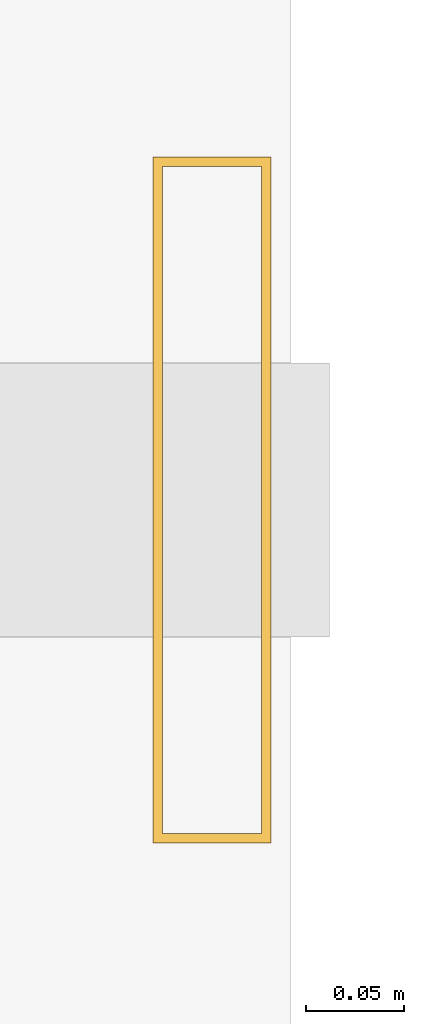
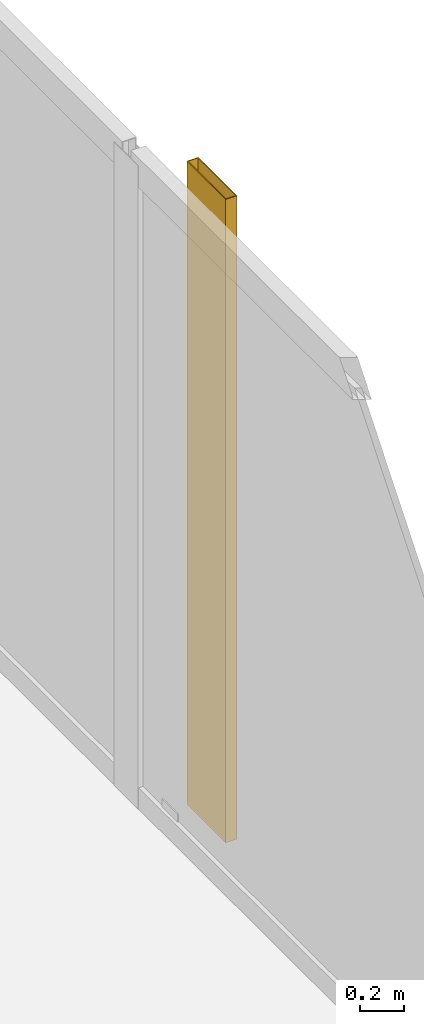
# One storey, part 29 of 29: 1 shading device.
"""IFC4 building model written with IfcOpenShell, lengths in metres."""

from ifc_helpers import new_model, si_unit, direction, frame, origin, origin_2d, place, context, subcontext, project, spatial, hollow_rectangle, extrude, material, material_profile, profile_set, type_object, element, save


model = new_model("IFC4")

# Units and contexts
model_context = context("Model", 3, precision=1e-05, world=origin(), true_north=direction((0.0, 1.0)))
body_context = subcontext(model_context, "Body", "Model", "MODEL_VIEW")
ifc_project = project(units=[si_unit("LENGTHUNIT", "METRE"), si_unit("AREAUNIT", "SQUARE_METRE"), si_unit("VOLUMEUNIT", "CUBIC_METRE"), si_unit("PLANEANGLEUNIT", "RADIAN"), si_unit("MASSUNIT", "GRAM", prefix="KILO")], contexts=[model_context])

# Site, building, storey
site_placement = place(None, origin())
site = spatial("IfcSite", under=ifc_project, at=site_placement, CompositionType="ELEMENT")
building_placement = place(site_placement, origin())
building = spatial("IfcBuilding", under=site, at=building_placement, Name="Kolvaren Waterfront Exchange", CompositionType="ELEMENT")
storey_placement = place(building_placement, frame((0.0, 0.0, 37.199951171875)))
storey = spatial("IfcBuildingStorey", under=building, at=storey_placement, Name="L09", CompositionType="ELEMENT", Elevation=37.199951171875)

# Shading device
ifc_material = material(Name="Anodised bronze aluminium 6063-T6", Category="aluminium")
ifc_material_profile = material_profile(ifc_material, hollow_rectangle(XDim=0.06005859375, YDim=0.35009765625, WallThickness=0.0048828125, at=origin_2d()), Name="BRZ-FIN-350x60x5")
ifc_profile_set = profile_set([ifc_material_profile], Name="Anodised bronze aluminium 6063-T6")
shading_device_type = type_object("IfcShadingDeviceType", Name="ARC-FIN-350", PredefinedType="USERDEFINED", material=ifc_profile_set)
shading_device_placement = place(storey_placement, frame((25.56005859375, 35.60009765625, 0.0), z_axis=(0.0, 0.0, 1.0), x_axis=(1.0, 0.0, 0.0)))
element("IfcShadingDevice", 1, at=shading_device_placement, inside=storey, type_object=shading_device_type, Name="L09 anodised bronze solar shading fin FIN-L09-E3", ObjectType="SOLAR FIN", PredefinedType="USERDEFINED", context=body_context, shape_type="SweptSolid", body=[
    extrude(hollow_rectangle(XDim=0.06005859375, YDim=0.35009765625, WallThickness=0.0048828125, at=origin_2d()), origin(), (0.0, 0.0, 1.0), 3.5400390625),
])

save(model, "model.ifc")
